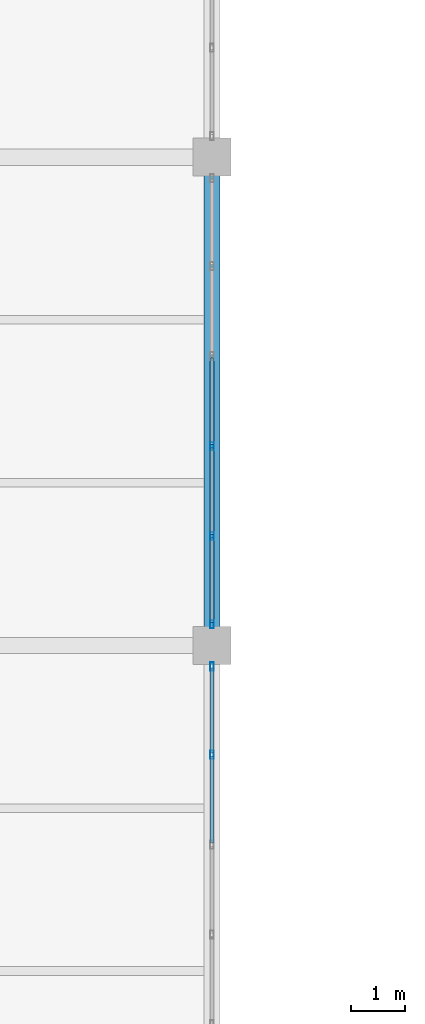
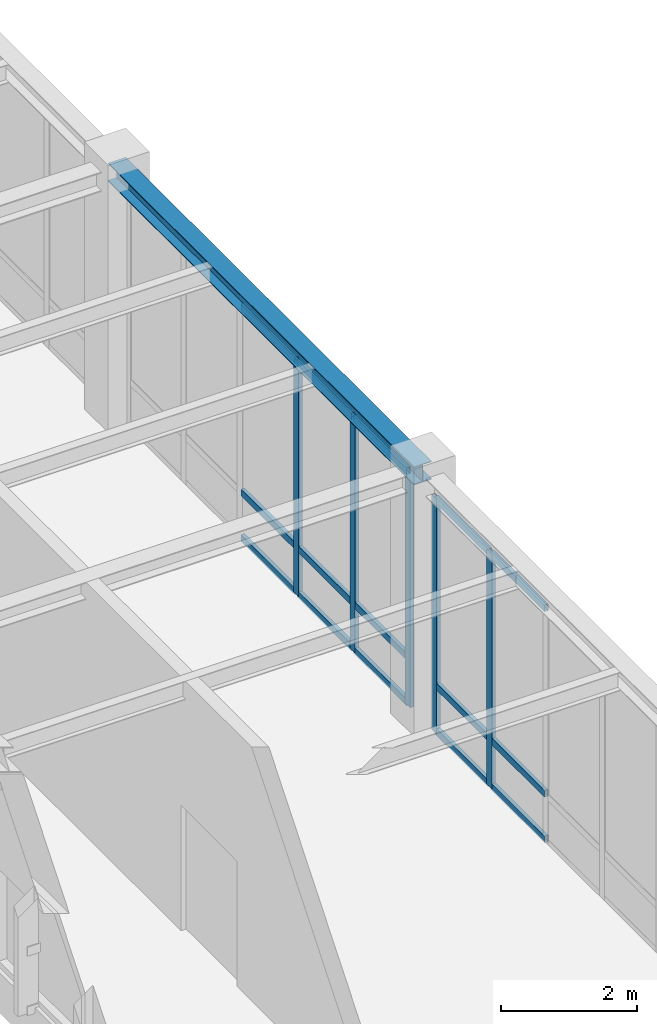
# One storey, part 32 of 98: 20 members, 1 beam, 2 elements without a shape of their own.
"""IFC4 building model written with IfcOpenShell, lengths in metres."""

from ifc_helpers import new_model, si_unit, direction, frame, origin, origin_2d, place, context, subcontext, project, spatial, hollow_rectangle, i_section, extrude, material, material_profile, profile_set, type_object, element, aggregate, save


model = new_model("IFC4")

# Units and contexts
model_context = context("Model", 3, precision=1e-05, world=origin(), true_north=direction((0.0, 1.0)))
body_context = subcontext(model_context, "Body", "Model", "MODEL_VIEW")
ifc_project = project(units=[si_unit("LENGTHUNIT", "METRE"), si_unit("AREAUNIT", "SQUARE_METRE"), si_unit("VOLUMEUNIT", "CUBIC_METRE"), si_unit("PLANEANGLEUNIT", "RADIAN"), si_unit("MASSUNIT", "GRAM", prefix="KILO")], contexts=[model_context])

# Site, building, storey
site_placement = place(None, origin())
site = spatial("IfcSite", under=ifc_project, at=site_placement, CompositionType="ELEMENT")
building_placement = place(site_placement, origin())
building = spatial("IfcBuilding", under=site, at=building_placement, Name="Lykobir Media Centre", CompositionType="ELEMENT")
storey_placement = place(building_placement, frame((0.0, 0.0, 10.199951171875)))
storey = spatial("IfcBuildingStorey", under=building, at=storey_placement, Name="L02", CompositionType="ELEMENT", Elevation=10.199951171875)

# Beam
ifc_material_1 = material(Name="Steel S355", Category="steel")
ifc_material_profile_1 = material_profile(ifc_material_1, i_section(OverallWidth=0.300048828125, OverallDepth=0.330078125, WebThickness=0.009521484375, FlangeThickness=0.0166015625, at=origin_2d()), Name="HEA 340")
ifc_profile_set_1 = profile_set([ifc_material_profile_1], Name="Steel S355")
beam_type = type_object("IfcBeamType", Name="BM-HEA340", PredefinedType="BEAM", material=ifc_profile_set_1)
beam_placement = place(storey_placement, frame((99.0, 27.0, 4.39501953125), z_axis=(0.0, 1.0, 0.0), x_axis=(-1.0, 0.0, 0.0)))
element("IfcBeam", 1, at=beam_placement, inside=storey, type_object=beam_type, Name="Beam BM-L02-0990-0270-0990-0360-1460", PredefinedType="BEAM", context=body_context, shape_type="SweptSolid", body=[
    extrude(i_section(OverallWidth=0.300048828125, OverallDepth=0.330078125, WebThickness=0.009521484375, FlangeThickness=0.0166015625, at=origin_2d()), origin(), (0.0, 0.0, 1.0), 9.0),
])

# Curtain wall, members
ifc_material_2 = material(Name="Anodized Aluminium AW-6060", Category="aluminium")
curtain_wall_type = type_object("IfcCurtainWallType", Name="CW-COURT-A", PredefinedType="NOTDEFINED", material=ifc_material_2)
curtain_wall_1_placement = place(storey_placement, origin())
curtain_wall_1 = element("IfcCurtainWall", 2, at=curtain_wall_1_placement, inside=storey, type_object=curtain_wall_type, Name="Curtain wall CW2-L02-0102", PredefinedType="NOTDEFINED")
ifc_material_profile_2 = material_profile(ifc_material_2, hollow_rectangle(XDim=0.06494140625, YDim=0.14990234375, WallThickness=0.00341796875, at=origin_2d()), Name="ALU MULLION 65x150")
ifc_profile_set_2 = profile_set([ifc_material_profile_2], Name="Anodized Aluminium AW-6060")
member_type_1 = type_object("IfcMemberType", Name="CWM-150", PredefinedType="MULLION", material=ifc_profile_set_2)
member_1_placement = place(storey_placement, frame((99.0, 26.612548828125, 0.0), z_axis=(0.0, 0.0, 1.0), x_axis=(1.0, 0.0, 0.0)))
member_1 = element("IfcMember", 3, at=member_1_placement, type_object=member_type_1, Name="CW2-L02-0102 mullion 1", PredefinedType="MULLION", context=body_context, shape_type="SweptSolid", body=[
    extrude(hollow_rectangle(XDim=0.06494140625, YDim=0.14990234375, WallThickness=0.00341796875, at=origin_2d()), origin(), (0.0, 0.0, 1.0), 4.215087890625),
])
member_2_placement = place(storey_placement, frame((99.0, 24.987060546875, 0.0), z_axis=(0.0, 0.0, 1.0), x_axis=(1.0, 0.0, 0.0)))
member_2 = element("IfcMember", 4, at=member_2_placement, type_object=member_type_1, Name="CW2-L02-0102 mullion 2", PredefinedType="MULLION", context=body_context, shape_type="SweptSolid", body=[
    extrude(hollow_rectangle(XDim=0.06494140625, YDim=0.14990234375, WallThickness=0.00341796875, at=origin_2d()), origin(), (0.0, 0.0, 1.0), 4.215087890625),
])

curtain_wall_2_placement = place(storey_placement, origin())
curtain_wall_2 = element("IfcCurtainWall", 5, at=curtain_wall_2_placement, inside=storey, type_object=curtain_wall_type, Name="Curtain wall CW2-L02-0103", PredefinedType="NOTDEFINED")
member_3_placement = place(storey_placement, frame((99.0, 30.6708984375, 0.0), z_axis=(0.0, 0.0, 1.0), x_axis=(1.0, 0.0, 0.0)))
member_3 = element("IfcMember", 6, at=member_3_placement, type_object=member_type_1, Name="CW2-L02-0103 mullion 4", PredefinedType="MULLION", context=body_context, shape_type="SweptSolid", body=[
    extrude(hollow_rectangle(XDim=0.06494140625, YDim=0.14990234375, WallThickness=0.00341796875, at=origin_2d()), origin(), (0.0, 0.0, 1.0), 4.215087890625),
])
member_4_placement = place(storey_placement, frame((99.0, 29.012939453125, 0.0), z_axis=(0.0, 0.0, 1.0), x_axis=(1.0, 0.0, 0.0)))
member_4 = element("IfcMember", 7, at=member_4_placement, type_object=member_type_1, Name="CW2-L02-0103 mullion 5", PredefinedType="MULLION", context=body_context, shape_type="SweptSolid", body=[
    extrude(hollow_rectangle(XDim=0.06494140625, YDim=0.14990234375, WallThickness=0.00341796875, at=origin_2d()), origin(), (0.0, 0.0, 1.0), 4.215087890625),
])
member_5_placement = place(storey_placement, frame((99.0, 27.387451171875, 0.0), z_axis=(0.0, 0.0, 1.0), x_axis=(1.0, 0.0, 0.0)))
member_5 = element("IfcMember", 8, at=member_5_placement, type_object=member_type_1, Name="CW2-L02-0103 mullion 6", PredefinedType="MULLION", context=body_context, shape_type="SweptSolid", body=[
    extrude(hollow_rectangle(XDim=0.06494140625, YDim=0.14990234375, WallThickness=0.00341796875, at=origin_2d()), origin(), (0.0, 0.0, 1.0), 4.215087890625),
])

# Member
ifc_material_profile_3 = material_profile(ifc_material_2, hollow_rectangle(XDim=0.06494140625, YDim=0.1201171875, WallThickness=0.0029296875, at=origin_2d()), Name="ALU TRANSOM 65x120")
ifc_profile_set_3 = profile_set([ifc_material_profile_3], Name="Anodized Aluminium AW-6060")
member_type_2 = type_object("IfcMemberType", Name="CWT-120", PredefinedType="USERDEFINED", material=ifc_profile_set_3)
member_6_placement = place(storey_placement, frame((99.0, 26.580078125, 0.032470703125), z_axis=(0.0, -1.0, 0.0), x_axis=(1.0, 0.0, 0.0)))
member_6 = element("IfcMember", 9, at=member_6_placement, type_object=member_type_2, Name="CW2-L02-0102 transom 1.1", ObjectType="TRANSOM", PredefinedType="USERDEFINED", context=body_context, shape_type="SweptSolid", body=[
    extrude(hollow_rectangle(XDim=0.06494140625, YDim=0.1201171875, WallThickness=0.0029296875, at=origin_2d()), origin(), (0.0, 0.0, 1.0), 1.560546875),
])

member_7_placement = place(storey_placement, frame((99.0, 26.580078125, 0.85009765625), z_axis=(0.0, -1.0, 0.0), x_axis=(1.0, 0.0, 0.0)))
member_7 = element("IfcMember", 10, at=member_7_placement, type_object=member_type_2, Name="CW2-L02-0102 transom 1.2", ObjectType="TRANSOM", PredefinedType="USERDEFINED", context=body_context, shape_type="SweptSolid", body=[
    extrude(hollow_rectangle(XDim=0.06494140625, YDim=0.1201171875, WallThickness=0.0029296875, at=origin_2d()), origin(), (0.0, 0.0, 1.0), 1.560546875),
])

member_8_placement = place(storey_placement, frame((99.0, 26.580078125, 4.1826171875), z_axis=(0.0, -1.0, 0.0), x_axis=(1.0, 0.0, 0.0)))
member_8 = element("IfcMember", 11, at=member_8_placement, type_object=member_type_2, Name="CW2-L02-0102 transom 1.3", ObjectType="TRANSOM", PredefinedType="USERDEFINED", context=body_context, shape_type="SweptSolid", body=[
    extrude(hollow_rectangle(XDim=0.06494140625, YDim=0.1201171875, WallThickness=0.0029296875, at=origin_2d()), origin(), (0.0, 0.0, 1.0), 1.560546875),
])

member_9_placement = place(storey_placement, frame((99.0, 24.95458984375, 0.032470703125), z_axis=(0.0, -1.0, 0.0), x_axis=(1.0, 0.0, 0.0)))
member_9 = element("IfcMember", 12, at=member_9_placement, type_object=member_type_2, Name="CW2-L02-0102 transom 2.1", ObjectType="TRANSOM", PredefinedType="USERDEFINED", context=body_context, shape_type="SweptSolid", body=[
    extrude(hollow_rectangle(XDim=0.06494140625, YDim=0.1201171875, WallThickness=0.0029296875, at=origin_2d()), origin(), (0.0, 0.0, 1.0), 1.593017578125),
])

member_10_placement = place(storey_placement, frame((99.0, 24.95458984375, 0.85009765625), z_axis=(0.0, -1.0, 0.0), x_axis=(1.0, 0.0, 0.0)))
member_10 = element("IfcMember", 13, at=member_10_placement, type_object=member_type_2, Name="CW2-L02-0102 transom 2.2", ObjectType="TRANSOM", PredefinedType="USERDEFINED", context=body_context, shape_type="SweptSolid", body=[
    extrude(hollow_rectangle(XDim=0.06494140625, YDim=0.1201171875, WallThickness=0.0029296875, at=origin_2d()), origin(), (0.0, 0.0, 1.0), 1.593017578125),
])

member_11_placement = place(storey_placement, frame((99.0, 24.95458984375, 4.1826171875), z_axis=(0.0, -1.0, 0.0), x_axis=(1.0, 0.0, 0.0)))
member_11 = element("IfcMember", 14, at=member_11_placement, type_object=member_type_2, Name="CW2-L02-0102 transom 2.3", ObjectType="TRANSOM", PredefinedType="USERDEFINED", context=body_context, shape_type="SweptSolid", body=[
    extrude(hollow_rectangle(XDim=0.06494140625, YDim=0.1201171875, WallThickness=0.0029296875, at=origin_2d()), origin(), (0.0, 0.0, 1.0), 1.593017578125),
])

aggregate(curtain_wall_1, [member_1, member_2, member_6, member_7, member_8, member_9, member_10, member_11])

member_12_placement = place(storey_placement, frame((99.0, 32.29638671875, 0.032470703125), z_axis=(0.0, -1.0, 0.0), x_axis=(1.0, 0.0, 0.0)))
member_12 = element("IfcMember", 15, at=member_12_placement, type_object=member_type_2, Name="CW2-L02-0103 transom 3.1", ObjectType="TRANSOM", PredefinedType="USERDEFINED", context=body_context, shape_type="SweptSolid", body=[
    extrude(hollow_rectangle(XDim=0.06494140625, YDim=0.1201171875, WallThickness=0.0029296875, at=origin_2d()), origin(), (0.0, 0.0, 1.0), 1.5927734375),
])

member_13_placement = place(storey_placement, frame((99.0, 32.29638671875, 0.85009765625), z_axis=(0.0, -1.0, 0.0), x_axis=(1.0, 0.0, 0.0)))
member_13 = element("IfcMember", 16, at=member_13_placement, type_object=member_type_2, Name="CW2-L02-0103 transom 3.2", ObjectType="TRANSOM", PredefinedType="USERDEFINED", context=body_context, shape_type="SweptSolid", body=[
    extrude(hollow_rectangle(XDim=0.06494140625, YDim=0.1201171875, WallThickness=0.0029296875, at=origin_2d()), origin(), (0.0, 0.0, 1.0), 1.5927734375),
])

member_14_placement = place(storey_placement, frame((99.0, 32.29638671875, 4.1826171875), z_axis=(0.0, -1.0, 0.0), x_axis=(1.0, 0.0, 0.0)))
member_14 = element("IfcMember", 17, at=member_14_placement, type_object=member_type_2, Name="CW2-L02-0103 transom 3.3", ObjectType="TRANSOM", PredefinedType="USERDEFINED", context=body_context, shape_type="SweptSolid", body=[
    extrude(hollow_rectangle(XDim=0.06494140625, YDim=0.1201171875, WallThickness=0.0029296875, at=origin_2d()), origin(), (0.0, 0.0, 1.0), 1.5927734375),
])

member_15_placement = place(storey_placement, frame((99.0, 30.638427734375, 0.032470703125), z_axis=(0.0, -1.0, 0.0), x_axis=(1.0, 0.0, 0.0)))
member_15 = element("IfcMember", 18, at=member_15_placement, type_object=member_type_2, Name="CW2-L02-0103 transom 4.1", ObjectType="TRANSOM", PredefinedType="USERDEFINED", context=body_context, shape_type="SweptSolid", body=[
    extrude(hollow_rectangle(XDim=0.06494140625, YDim=0.1201171875, WallThickness=0.0029296875, at=origin_2d()), origin(), (0.0, 0.0, 1.0), 1.593017578125),
])

member_16_placement = place(storey_placement, frame((99.0, 30.638427734375, 0.85009765625), z_axis=(0.0, -1.0, 0.0), x_axis=(1.0, 0.0, 0.0)))
member_16 = element("IfcMember", 19, at=member_16_placement, type_object=member_type_2, Name="CW2-L02-0103 transom 4.2", ObjectType="TRANSOM", PredefinedType="USERDEFINED", context=body_context, shape_type="SweptSolid", body=[
    extrude(hollow_rectangle(XDim=0.06494140625, YDim=0.1201171875, WallThickness=0.0029296875, at=origin_2d()), origin(), (0.0, 0.0, 1.0), 1.593017578125),
])

member_17_placement = place(storey_placement, frame((99.0, 30.638427734375, 4.1826171875), z_axis=(0.0, -1.0, 0.0), x_axis=(1.0, 0.0, 0.0)))
member_17 = element("IfcMember", 20, at=member_17_placement, type_object=member_type_2, Name="CW2-L02-0103 transom 4.3", ObjectType="TRANSOM", PredefinedType="USERDEFINED", context=body_context, shape_type="SweptSolid", body=[
    extrude(hollow_rectangle(XDim=0.06494140625, YDim=0.1201171875, WallThickness=0.0029296875, at=origin_2d()), origin(), (0.0, 0.0, 1.0), 1.593017578125),
])

member_18_placement = place(storey_placement, frame((99.0, 28.98046875, 0.032470703125), z_axis=(0.0, -1.0, 0.0), x_axis=(1.0, 0.0, 0.0)))
member_18 = element("IfcMember", 21, at=member_18_placement, type_object=member_type_2, Name="CW2-L02-0103 transom 5.1", ObjectType="TRANSOM", PredefinedType="USERDEFINED", context=body_context, shape_type="SweptSolid", body=[
    extrude(hollow_rectangle(XDim=0.06494140625, YDim=0.1201171875, WallThickness=0.0029296875, at=origin_2d()), origin(), (0.0, 0.0, 1.0), 1.560546875),
])

member_19_placement = place(storey_placement, frame((99.0, 28.98046875, 0.85009765625), z_axis=(0.0, -1.0, 0.0), x_axis=(1.0, 0.0, 0.0)))
member_19 = element("IfcMember", 22, at=member_19_placement, type_object=member_type_2, Name="CW2-L02-0103 transom 5.2", ObjectType="TRANSOM", PredefinedType="USERDEFINED", context=body_context, shape_type="SweptSolid", body=[
    extrude(hollow_rectangle(XDim=0.06494140625, YDim=0.1201171875, WallThickness=0.0029296875, at=origin_2d()), origin(), (0.0, 0.0, 1.0), 1.560546875),
])

member_20_placement = place(storey_placement, frame((99.0, 28.98046875, 4.1826171875), z_axis=(0.0, -1.0, 0.0), x_axis=(1.0, 0.0, 0.0)))
member_20 = element("IfcMember", 23, at=member_20_placement, type_object=member_type_2, Name="CW2-L02-0103 transom 5.3", ObjectType="TRANSOM", PredefinedType="USERDEFINED", context=body_context, shape_type="SweptSolid", body=[
    extrude(hollow_rectangle(XDim=0.06494140625, YDim=0.1201171875, WallThickness=0.0029296875, at=origin_2d()), origin(), (0.0, 0.0, 1.0), 1.560546875),
])

aggregate(curtain_wall_2, [member_3, member_4, member_5, member_12, member_13, member_14, member_15, member_16, member_17, member_18, member_19, member_20])

save(model, "model.ifc")
